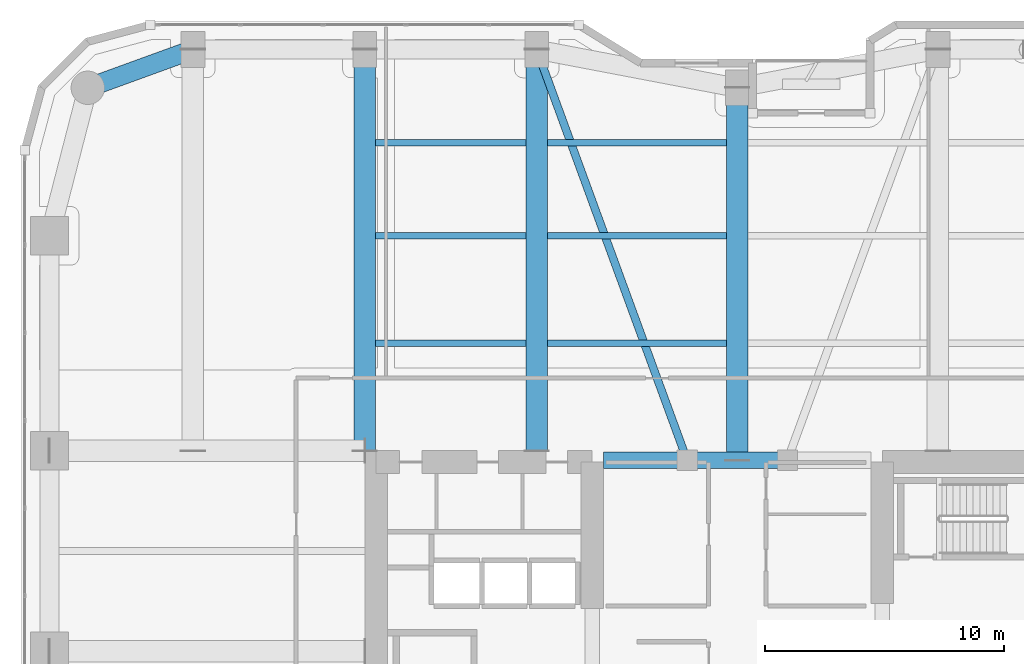
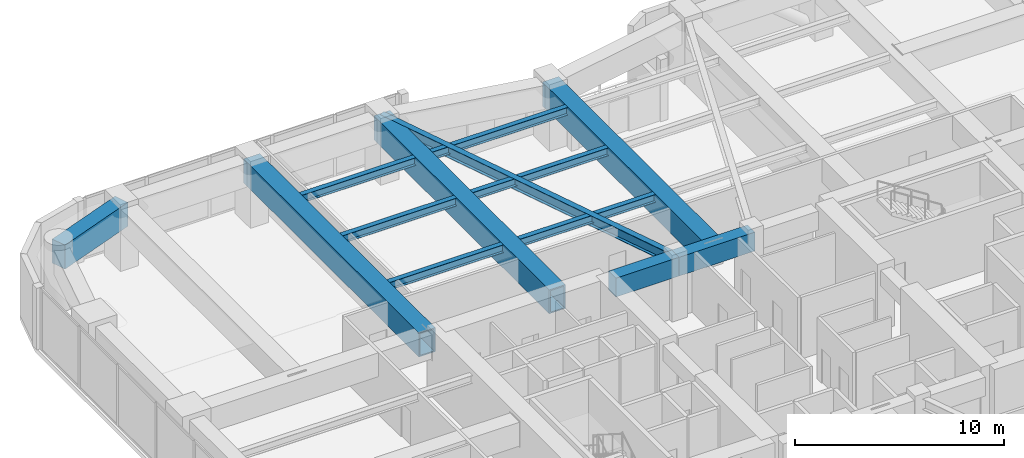
# One storey, part 15 of 28: 13 beams.
"""IFC4 building model written with IfcOpenShell, lengths in metres."""

import ifcopenshell
import ifcopenshell.guid

model = None  # the IFC model being written
_history = None  # IfcOwnerHistory: only IFC2X3 demands one
_inside = {}  # id of a spatial element -> (the spatial element, [elements in it])
_under = {}  # id of a project, library or spatial element -> (it, [spatial elements below it])
_declared = {}  # id of a project -> (the project, [libraries it declares])
_typed = {}  # id of a type object -> (the type object, [elements of that type])
_made_of = {}  # id of a material, layer set ... -> (it, [elements and type objects made of it])


def new_model(schema):
    """Start an empty IFC model of exactly this schema.

    Asked for "IFC4X3", IfcOpenShell would pick the latest addendum, in which some entities
    have other attributes; the version numbers below select the first issue.
    IFC2X3 requires an IfcOwnerHistory on every rooted entity: one is made here for all.
    """
    global model, _history
    if schema == "IFC4X3":
        model = ifcopenshell.file(schema_version=(4, 3, 0, 0))
    else:
        model = ifcopenshell.file(schema=schema)
    _inside.clear()
    _under.clear()
    _declared.clear()
    _typed.clear()
    _made_of.clear()
    _history = None
    if model.schema == "IFC2X3":
        org = make("IfcOrganization", Name="unknown")
        user = make(
            "IfcPersonAndOrganization",
            ThePerson=make("IfcPerson", FamilyName="unknown"),
            TheOrganization=org,
        )
        app = make(
            "IfcApplication",
            ApplicationDeveloper=org,
            Version="unknown",
            ApplicationFullName="unknown",
            ApplicationIdentifier="unknown",
        )
        _history = make(
            "IfcOwnerHistory",
            OwningUser=user,
            OwningApplication=app,
            ChangeAction="ADDED",
            CreationDate=0,
        )
    return model


def make(cls, **values):
    """One entity of the class cls with the attributes given. An attribute that is None is left unset."""
    return model.create_entity(
        cls, **{name: value for name, value in values.items() if value is not None}
    )


def rooted(cls, **values):
    """An entity with a GlobalId (a new one), such as an element, a storey or a relation."""
    return make(cls, GlobalId=ifcopenshell.guid.new(), OwnerHistory=_history, **values)


def si_unit(unit_type, name, prefix=None):
    """IfcSIUnit, for example si_unit("LENGTHUNIT", "METRE", prefix="MILLI")."""
    return make("IfcSIUnit", UnitType=unit_type, Prefix=prefix, Name=name)


def assignment(units):
    """IfcUnitAssignment: the units of a project."""
    return None if units is None else make("IfcUnitAssignment", Units=units)


def point(xyz):
    """IfcCartesianPoint."""
    return None if xyz is None else make("IfcCartesianPoint", Coordinates=xyz)


def direction(xyz):
    """IfcDirection."""
    return None if xyz is None else make("IfcDirection", DirectionRatios=xyz)


def frame(location, z_axis=None, x_axis=None):
    """IfcAxis2Placement3D, a coordinate frame: its origin and axes. An axis left out is left unset."""
    return make(
        "IfcAxis2Placement3D",
        Location=point(location),
        Axis=direction(z_axis),
        RefDirection=direction(x_axis),
    )


def frame_2d(location, x_axis=None):
    """IfcAxis2Placement2D, a coordinate frame in the plane: its origin and x axis."""
    return make(
        "IfcAxis2Placement2D", Location=point(location), RefDirection=direction(x_axis)
    )


def origin():
    """The frame at (0, 0, 0) with its axes left unset."""
    return frame((0.0, 0.0, 0.0))


def origin_2d():
    """The frame at (0, 0) in the plane with its x axis left unset."""
    return frame_2d((0.0, 0.0))


def place(relative_to, where):
    """IfcLocalPlacement: puts the frame where relative to a parent placement (None: the world)."""
    return make(
        "IfcLocalPlacement", PlacementRelTo=relative_to, RelativePlacement=where
    )


def context(
    kind, dimensions, precision=None, world=None, true_north=None, identifier=None
):
    """IfcGeometricRepresentationContext, for example the 3D "Model" context."""
    return make(
        "IfcGeometricRepresentationContext",
        ContextIdentifier=identifier,
        ContextType=kind,
        CoordinateSpaceDimension=dimensions,
        Precision=precision,
        WorldCoordinateSystem=world,
        TrueNorth=true_north,
    )


def subcontext(parent, identifier, kind, view, scale=None):
    """IfcGeometricRepresentationSubContext, for example "Body" below "Model"."""
    return make(
        "IfcGeometricRepresentationSubContext",
        ContextIdentifier=identifier,
        ContextType=kind,
        ParentContext=parent,
        TargetScale=scale,
        TargetView=view,
    )


def project(units=None, contexts=None):
    """IfcProject with its units and contexts."""
    return rooted(
        "IfcProject",
        Name="project",
        RepresentationContexts=contexts,
        UnitsInContext=assignment(units),
    )


def spatial(cls, under=None, at=None, **own):
    """A site, building, storey or space (cls), placed at a placement, below another one or the project."""
    s = rooted(cls, ObjectPlacement=at, **own)
    if under is not None:
        _under.setdefault(under.id(), (under, []))[1].append(s)
    return s


def profile(cls, at=None, kind="AREA", **sizes):
    """A parametric profile (cls). Its sizes go by their IFC names, for example OverallWidth=200.0."""
    return make(cls, ProfileType=kind, Position=at, **sizes)


def rectangle(**sizes):
    """IfcRectangleProfileDef."""
    return profile("IfcRectangleProfileDef", **sizes)


def hollow_rectangle(**sizes):
    """IfcRectangleHollowProfileDef."""
    return profile("IfcRectangleHollowProfileDef", **sizes)


def i_section(**sizes):
    """IfcIShapeProfileDef."""
    return profile("IfcIShapeProfileDef", **sizes)


def extrude(swept, where, along, depth):
    """IfcExtrudedAreaSolid: the profile swept, set in the frame where, extruded along a direction by depth."""
    return make(
        "IfcExtrudedAreaSolid",
        SweptArea=swept,
        Position=where,
        ExtrudedDirection=direction(along),
        Depth=depth,
    )


def shape(context_of_items, identifier, shape_type, items):
    """IfcShapeRepresentation: the items that make up one representation, for example the "Body"."""
    return make(
        "IfcShapeRepresentation",
        ContextOfItems=context_of_items,
        RepresentationIdentifier=identifier,
        RepresentationType=shape_type,
        Items=items,
    )


def material(Name=None, Category=None):
    """IfcMaterial."""
    return make("IfcMaterial", Name=Name, Category=Category)


def material_profile(
    of_material, cross_section, Name=None, Category=None, Priority=None
):
    """IfcMaterialProfile: a cross section and its material."""
    return make(
        "IfcMaterialProfile",
        Name=Name,
        Material=of_material,
        Profile=cross_section,
        Priority=Priority,
        Category=Category,
    )


def profile_set(profiles, Name=None, composite=None):
    """IfcMaterialProfileSet."""
    return make(
        "IfcMaterialProfileSet",
        Name=Name,
        MaterialProfiles=profiles,
        CompositeProfile=composite,
    )


def made_of(thing, what):
    """Note that an element or type object is made of a material, layer set ...; save() writes the relation."""
    if what is not None:
        _made_of.setdefault(what.id(), (what, []))[1].append(thing)
    return thing


def type_object(cls, material=None, **own):
    """A type object (cls), such as IfcWallType, which elements share."""
    return made_of(rooted(cls, **own), material)


def element(
    cls,
    number,
    at=None,
    inside=None,
    cuts=None,
    type_object=None,
    material=None,
    context=None,
    identifier="Body",
    shape_type=None,
    held_by="IfcProductDefinitionShape",
    body=None,
    shapes=None,
    **own,
):
    """One element of the class cls, such as IfcWall. Its Tag is "e" and its number.

    at: its placement. inside: the storey or other place that contains it. cuts: it is an
    opening in that element (IfcRelVoidsElement). A single representation is given by context,
    identifier, shape_type and body (its items); several are given by shapes. held_by: the class
    of the entity that holds the representations. save() writes the other relations.
    """
    e = rooted(cls, Tag="e%d" % number, ObjectPlacement=at, **own)
    if body is not None:
        shapes = [shape(context, identifier, shape_type, body)]
    if shapes is not None:
        e.Representation = make(held_by, Representations=shapes)
    if inside is not None:
        _inside.setdefault(inside.id(), (inside, []))[1].append(e)
    if cuts is not None:
        rooted(
            "IfcRelVoidsElement", RelatingBuildingElement=cuts, RelatedOpeningElement=e
        )
    if type_object is not None:
        _typed.setdefault(type_object.id(), (type_object, []))[1].append(e)
    return made_of(e, material)


def aggregate(whole, parts):
    """IfcRelAggregates: a whole, such as a stair, and the parts it consists of."""
    return rooted("IfcRelAggregates", RelatingObject=whole, RelatedObjects=parts)


def save(model, path):
    """Write the relations noted so far, then the file.

    IfcRelAggregates (storeys below a building ...), IfcRelContainedInSpatialStructure (elements
    in a storey), IfcRelDefinesByType, IfcRelAssociatesMaterial and IfcRelDeclares: one each for
    every whole, place, type object, material and project.
    """
    for whole, parts in _under.values():
        aggregate(whole, parts)
    for where, things in _inside.values():
        rooted(
            "IfcRelContainedInSpatialStructure",
            RelatedElements=things,
            RelatingStructure=where,
        )
    for kind, things in _typed.values():
        rooted("IfcRelDefinesByType", RelatedObjects=things, RelatingType=kind)
    for what, things in _made_of.values():
        rooted("IfcRelAssociatesMaterial", RelatedObjects=things, RelatingMaterial=what)
    for by, libraries in _declared.values():
        rooted("IfcRelDeclares", RelatingContext=by, RelatedDefinitions=libraries)
    model.write(path)


model = new_model("IFC4")

# Units and contexts
model_context = context("Model", 3, precision=1e-05, world=origin(), true_north=direction((0.0, 1.0)))
body_context = subcontext(model_context, "Body", "Model", "MODEL_VIEW")
ifc_project = project(units=[si_unit("LENGTHUNIT", "METRE"), si_unit("AREAUNIT", "SQUARE_METRE"), si_unit("VOLUMEUNIT", "CUBIC_METRE"), si_unit("PLANEANGLEUNIT", "RADIAN"), si_unit("MASSUNIT", "GRAM", prefix="KILO")], contexts=[model_context])

# Site, building, storey
site_placement = place(None, origin())
site = spatial("IfcSite", under=ifc_project, at=site_placement, CompositionType="ELEMENT")
building_placement = place(site_placement, origin())
building = spatial("IfcBuilding", under=site, at=building_placement, Name="Kiyonajd Concourse Tower", CompositionType="ELEMENT")
storey_placement = place(building_placement, frame((0.0, 0.0, 76.800048828125)))
storey = spatial("IfcBuildingStorey", under=building, at=storey_placement, Name="L20", CompositionType="ELEMENT", Elevation=76.800048828125)

# Beams
ifc_material_1 = material(Name="Concrete C70/85", Category="concrete")
ifc_material_profile_1 = material_profile(ifc_material_1, rectangle(XDim=0.699951171875, YDim=1.10009765625, at=origin_2d()), Name="RCBM-700x1100")
ifc_profile_set_1 = profile_set([ifc_material_profile_1], Name="Concrete C70/85")
beam_type_1 = type_object("IfcBeamType", Name="BM-COUP-1100", PredefinedType="LINTEL", material=ifc_profile_set_1)
beam_1_placement = place(storey_placement, frame((42.39990234375, 44.0, 3.050048828125), z_axis=(1.0, 0.0, 0.0), x_axis=(0.0, 1.0, 0.0)))
element("IfcBeam", 1, at=beam_1_placement, inside=storey, type_object=beam_type_1, Name="L20 Core Coupling Beam N1", PredefinedType="LINTEL", context=body_context, shape_type="SweptSolid", body=[
    extrude(rectangle(XDim=0.699951171875, YDim=1.10009765625, at=origin_2d()), origin(), (0.0, 0.0, 1.0), 3.5),
])
beam_2_placement = place(storey_placement, frame((45.89990234375, 44.0, 3.050048828125), z_axis=(1.0, 0.0, 0.0), x_axis=(0.0, 1.0, 0.0)))
element("IfcBeam", 2, at=beam_2_placement, inside=storey, type_object=beam_type_1, Name="L20 Core Coupling Beam N2", PredefinedType="LINTEL", context=body_context, shape_type="SweptSolid", body=[
    extrude(rectangle(XDim=0.699951171875, YDim=1.10009765625, at=origin_2d()), origin(), (0.0, 0.0, 1.0), 4.2001953125),
])
ifc_material_2 = material(Name="Steel ASTM A992 Grade 50", Category="steel")
ifc_material_profile_2 = material_profile(ifc_material_2, i_section(OverallWidth=0.280029296875, OverallDepth=0.462890625, WebThickness=0.0107421875, FlangeThickness=0.017333984375, at=origin_2d()), Name="W460X113")
ifc_profile_set_2 = profile_set([ifc_material_profile_2], Name="Steel ASTM A992 Grade 50")
beam_type_2 = type_object("IfcBeamType", Name="BM-JST-460A", PredefinedType="JOIST", material=ifc_profile_set_2)
beam_3_placement = place(storey_placement, frame((32.85009765625, 48.89990234375, 3.368408203125), z_axis=(1.0, 0.0, 0.0), x_axis=(0.0, 1.0, 0.0)))
element("IfcBeam", 3, at=beam_3_placement, inside=storey, type_object=beam_type_2, Name="L20 Secondary Floor Joist", PredefinedType="JOIST", context=body_context, shape_type="SweptSolid", body=[
    extrude(i_section(OverallWidth=0.280029296875, OverallDepth=0.462890625, WebThickness=0.0107421875, FlangeThickness=0.017333984375, at=origin_2d()), origin(), (0.0, 0.0, 1.0), 6.2998046875),
])
beam_4_placement = place(storey_placement, frame((40.050048828125, 48.89990234375, 3.368408203125), z_axis=(1.0, 0.0, 0.0), x_axis=(0.0, 1.0, 0.0)))
element("IfcBeam", 4, at=beam_4_placement, inside=storey, type_object=beam_type_2, Name="L20 Secondary Floor Joist", PredefinedType="JOIST", context=body_context, shape_type="SweptSolid", body=[
    extrude(i_section(OverallWidth=0.280029296875, OverallDepth=0.462890625, WebThickness=0.0107421875, FlangeThickness=0.017333984375, at=origin_2d()), origin(), (0.0, 0.0, 1.0), 7.5),
])
beam_5_placement = place(storey_placement, frame((32.85009765625, 53.39990234375, 3.368408203125), z_axis=(1.0, 0.0, 0.0), x_axis=(0.0, 1.0, 0.0)))
element("IfcBeam", 5, at=beam_5_placement, inside=storey, type_object=beam_type_2, Name="L20 Secondary Floor Joist", PredefinedType="JOIST", context=body_context, shape_type="SweptSolid", body=[
    extrude(i_section(OverallWidth=0.280029296875, OverallDepth=0.462890625, WebThickness=0.0107421875, FlangeThickness=0.017333984375, at=origin_2d()), origin(), (0.0, 0.0, 1.0), 6.2998046875),
])
beam_6_placement = place(storey_placement, frame((40.050048828125, 53.39990234375, 3.368408203125), z_axis=(1.0, 0.0, 0.0), x_axis=(0.0, 1.0, 0.0)))
element("IfcBeam", 6, at=beam_6_placement, inside=storey, type_object=beam_type_2, Name="L20 Secondary Floor Joist", PredefinedType="JOIST", context=body_context, shape_type="SweptSolid", body=[
    extrude(i_section(OverallWidth=0.280029296875, OverallDepth=0.462890625, WebThickness=0.0107421875, FlangeThickness=0.017333984375, at=origin_2d()), origin(), (0.0, 0.0, 1.0), 7.5),
])
beam_7_placement = place(storey_placement, frame((32.85009765625, 57.300048828125, 3.368408203125), z_axis=(1.0, 0.0, 0.0), x_axis=(0.0, 1.0, 0.0)))
element("IfcBeam", 7, at=beam_7_placement, inside=storey, type_object=beam_type_2, Name="L20 Secondary Floor Joist", PredefinedType="JOIST", context=body_context, shape_type="SweptSolid", body=[
    extrude(i_section(OverallWidth=0.280029296875, OverallDepth=0.462890625, WebThickness=0.0107421875, FlangeThickness=0.017333984375, at=origin_2d()), origin(), (0.0, 0.0, 1.0), 6.2998046875),
])
beam_8_placement = place(storey_placement, frame((40.050048828125, 57.300048828125, 3.368408203125), z_axis=(1.0, 0.0, 0.0), x_axis=(0.0, 1.0, 0.0)))
element("IfcBeam", 8, at=beam_8_placement, inside=storey, type_object=beam_type_2, Name="L20 Secondary Floor Joist", PredefinedType="JOIST", context=body_context, shape_type="SweptSolid", body=[
    extrude(i_section(OverallWidth=0.280029296875, OverallDepth=0.462890625, WebThickness=0.0107421875, FlangeThickness=0.017333984375, at=origin_2d()), origin(), (0.0, 0.0, 1.0), 7.5),
])
ifc_material_profile_3 = material_profile(ifc_material_2, i_section(OverallWidth=0.326904296875, OverallDepth=0.6220703125, WebThickness=0.015380859375, FlangeThickness=0.0244140625, at=origin_2d()), Name="W610X195")
ifc_profile_set_3 = profile_set([ifc_material_profile_3], Name="Steel ASTM A992 Grade 50")
beam_type_3 = type_object("IfcBeamType", Name="BM-TWR-610A", PredefinedType="BEAM", material=ifc_profile_set_3)
beam_9_placement = place(storey_placement, frame((39.60009765625, 61.199951171875, 3.2890625), z_axis=(0.343925269715, -0.938997022813, 0.0), x_axis=(0.938997022813, 0.343925269715, 0.0)))
element("IfcBeam", 9, at=beam_9_placement, inside=storey, type_object=beam_type_3, Name="L20 Core Tie Girder", PredefinedType="BEAM", context=body_context, shape_type="SweptSolid", body=[
    extrude(i_section(OverallWidth=0.326904296875, OverallDepth=0.6220703125, WebThickness=0.015380859375, FlangeThickness=0.0244140625, at=origin_2d()), origin(), (0.0, 0.0, 1.0), 18.3173828125),
])
ifc_material_3 = material(Name="Steel ASTM A572 Grade 50", Category="steel")
ifc_material_profile_4 = material_profile(ifc_material_3, hollow_rectangle(XDim=0.89990234375, YDim=1.39990234375, WallThickness=0.070068359375, at=origin_2d()), Name="BOX-1400x900x70")
ifc_profile_set_4 = profile_set([ifc_material_profile_4], Name="Steel ASTM A572 Grade 50")
beam_type_4 = type_object("IfcBeamType", Name="BM-XFER-1400", PredefinedType="BEAM", material=ifc_profile_set_4)
for number, where, z_axis, x_axis, name in (
    (10, (32.39990234375, 44.39990234375, 2.89990234375), (0.0, 1.0, 0.0), (-1.0, 0.0, 0.0), "L20 North Lease Girder"),
    (11, (39.60009765625, 44.39990234375, 2.89990234375), (0.0, 1.0, 0.0), (-1.0, 0.0, 0.0), "L20 North Lease Girder"),
):
    element("IfcBeam", number, at=place(storey_placement, frame(where, z_axis=z_axis, x_axis=x_axis)), inside=storey, type_object=beam_type_4, Name=name, PredefinedType="BEAM", context=body_context, shape_type="SweptSolid", body=[
        extrude(hollow_rectangle(XDim=0.89990234375, YDim=1.39990234375, WallThickness=0.070068359375, at=origin_2d()), origin(), (0.0, 0.0, 1.0), 16.800048828125),
    ])
beam_10_placement = place(storey_placement, frame((48.0, 44.0, 2.89990234375), z_axis=(0.0, 1.0, 0.0), x_axis=(-1.0, 0.0, 0.0)))
element("IfcBeam", 12, at=beam_10_placement, inside=storey, type_object=beam_type_4, Name="L20 North Ribbon Girder", PredefinedType="BEAM", context=body_context, shape_type="SweptSolid", body=[
    extrude(hollow_rectangle(XDim=0.89990234375, YDim=1.39990234375, WallThickness=0.070068359375, at=origin_2d()), origin(), (0.0, 0.0, 1.0), 15.60009765625),
])
ifc_material_4 = material(Name="Concrete C60/75", Category="concrete")
ifc_material_profile_5 = material_profile(ifc_material_4, rectangle(XDim=0.800048828125, YDim=1.39990234375, at=origin_2d()), Name="RCBM-800x1400")
ifc_profile_set_5 = profile_set([ifc_material_profile_5], Name="Concrete C60/75")
beam_type_5 = type_object("IfcBeamType", Name="BM-XFER-RC", PredefinedType="BEAM", material=ifc_profile_set_5)
beam_11_placement = place(storey_placement, frame((25.199951171875, 61.199951171875, 2.89990234375), z_axis=(-0.939801036019, -0.341722127901, 0.0), x_axis=(0.341722127901, -0.939801036019, 0.0)))
element("IfcBeam", 13, at=beam_11_placement, inside=storey, type_object=beam_type_5, Name="L20 Perimeter Bundled Tube Spandrel", PredefinedType="BEAM", context=body_context, shape_type="SweptSolid", body=[
    extrude(rectangle(XDim=0.800048828125, YDim=1.39990234375, at=origin_2d()), origin(), (0.0, 0.0, 1.0), 4.681640625),
])

save(model, "model.ifc")
